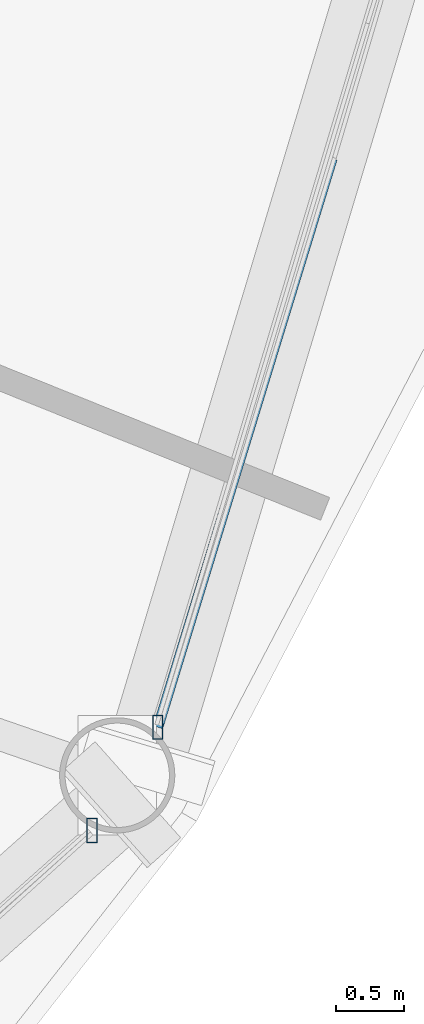
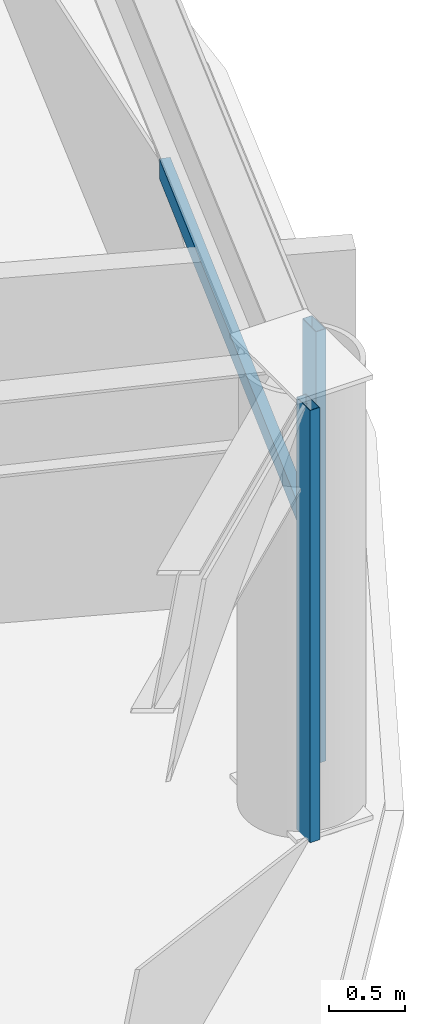
# One storey, part 12 of 31: 3 members, 2 elements without a shape of their own.
"""IFC4 building model written with IfcOpenShell, lengths in metres."""

from ifc_helpers import new_model, si_unit, direction, frame, origin, origin_2d, place, context, subcontext, project, spatial, hollow_rectangle, extrude, material, layer, layer_set, material_profile, profile_set, type_object, element, aggregate, save


model = new_model("IFC4")

# Units and contexts
model_context = context("Model", 3, precision=1e-05, world=origin(), true_north=direction((0.0, 1.0)))
body_context = subcontext(model_context, "Body", "Model", "MODEL_VIEW")
ifc_project = project(units=[si_unit("LENGTHUNIT", "METRE"), si_unit("AREAUNIT", "SQUARE_METRE"), si_unit("VOLUMEUNIT", "CUBIC_METRE"), si_unit("PLANEANGLEUNIT", "RADIAN"), si_unit("MASSUNIT", "GRAM", prefix="KILO")], contexts=[model_context])

# Site, building, storey
site_placement = place(None, origin())
site = spatial("IfcSite", under=ifc_project, at=site_placement, CompositionType="ELEMENT")
building_placement = place(site_placement, origin())
building = spatial("IfcBuilding", under=site, at=building_placement, Name="Vantalir Tower", CompositionType="ELEMENT")
storey_placement = place(building_placement, frame((0.0, 0.0, 42.0)))
storey = spatial("IfcBuildingStorey", under=building, at=storey_placement, Name="L09", CompositionType="ELEMENT", Elevation=42.0)

# Curtain wall, member
ifc_material_1 = material(Name="Champagne-silver PVDF aluminium and double-silver Low-E glass", Category="aluminium")
ifc_layer = layer(ifc_material_1, 0.18994140625)
ifc_layer_set = layer_set([ifc_layer], Name="Champagne-silver PVDF aluminium and double-silver Low-E glass")
curtain_wall_type = type_object("IfcCurtainWallType", Name="CW-DIAMOND-Z1", PredefinedType="USERDEFINED", material=ifc_layer_set)
curtain_wall_1_placement = place(storey_placement, origin())
curtain_wall_1 = element("IfcCurtainWall", 1, at=curtain_wall_1_placement, inside=storey, type_object=curtain_wall_type, Name="L09 Quilted Pyramid-Diamond Curtain Wall S11", ObjectType="UNITISED CURTAIN WALL", PredefinedType="USERDEFINED")
ifc_material_2 = material(Name="Champagne-silver PVDF aluminium 6063-T6", Category="aluminium")
ifc_material_profile_1 = material_profile(ifc_material_2, hollow_rectangle(XDim=0.074951171875, YDim=0.179931640625, WallThickness=0.00390625, at=origin_2d()), Name="Champagne-silver PVDF aluminium 6063-T6")
ifc_profile_set_1 = profile_set([ifc_material_profile_1], Name="Champagne-silver PVDF aluminium 6063-T6")
member_type_1 = type_object("IfcMemberType", Name="CWM-180x75", PredefinedType="MULLION", material=ifc_profile_set_1)
member_1_placement = place(storey_placement, frame((54.384033203125, 12.72900390625, 0.044921875), z_axis=(0.0, 0.0, 1.0), x_axis=(1.0, 0.0, 0.0)))
member_1 = element("IfcMember", 2, at=member_1_placement, type_object=member_type_1, Name="CW-L09-S11 Mullion 2", PredefinedType="MULLION", context=body_context, shape_type="SweptSolid", body=[
    extrude(hollow_rectangle(XDim=0.074951171875, YDim=0.179931640625, WallThickness=0.00390625, at=origin_2d()), origin(), (0.0, 0.0, 1.0), 3.47998046875),
])
aggregate(curtain_wall_1, [member_1])

# Curtain wall, members
curtain_wall_2_placement = place(storey_placement, origin())
curtain_wall_2 = element("IfcCurtainWall", 3, at=curtain_wall_2_placement, inside=storey, type_object=curtain_wall_type, Name="L09 Quilted Pyramid-Diamond Curtain Wall S12", ObjectType="UNITISED CURTAIN WALL", PredefinedType="USERDEFINED")
member_2_placement = place(storey_placement, frame((54.8701171875, 13.491943359375, 0.044921875), z_axis=(0.0, 0.0, 1.0), x_axis=(1.0, 0.0, 0.0)))
member_2 = element("IfcMember", 4, at=member_2_placement, type_object=member_type_1, Name="CW-L09-S12 Mullion 1", PredefinedType="MULLION", context=body_context, shape_type="SweptSolid", body=[
    extrude(hollow_rectangle(XDim=0.074951171875, YDim=0.179931640625, WallThickness=0.00390625, at=origin_2d()), origin(), (0.0, 0.0, 1.0), 3.47998046875),
])
ifc_material_profile_2 = material_profile(ifc_material_2, hollow_rectangle(XDim=0.074951171875, YDim=0.159912109375, WallThickness=0.00390625, at=origin_2d()), Name="Champagne-silver PVDF aluminium 6063-T6")
ifc_profile_set_2 = profile_set([ifc_material_profile_2], Name="Champagne-silver PVDF aluminium 6063-T6")
member_type_2 = type_object("IfcMemberType", Name="CWT-160x75", PredefinedType="USERDEFINED", material=ifc_profile_set_2)
member_3_placement = place(storey_placement, frame((54.8701171875, 13.491943359375, 1.784912109375), z_axis=(0.293065181142, 0.95609246394, 0.0), x_axis=(-0.95609246394, 0.293065181142, 0.0)))
member_3 = element("IfcMember", 5, at=member_3_placement, type_object=member_type_2, Name="CW-L09-S12 Pyramid Fold Ridge Transom", ObjectType="TRANSOM", PredefinedType="USERDEFINED", context=body_context, shape_type="SweptSolid", body=[
    extrude(hollow_rectangle(XDim=0.074951171875, YDim=0.159912109375, WallThickness=0.00390625, at=origin_2d()), origin(), (0.0, 0.0, 1.0), 4.3876953125),
])
aggregate(curtain_wall_2, [member_2, member_3])

save(model, "model.ifc")
